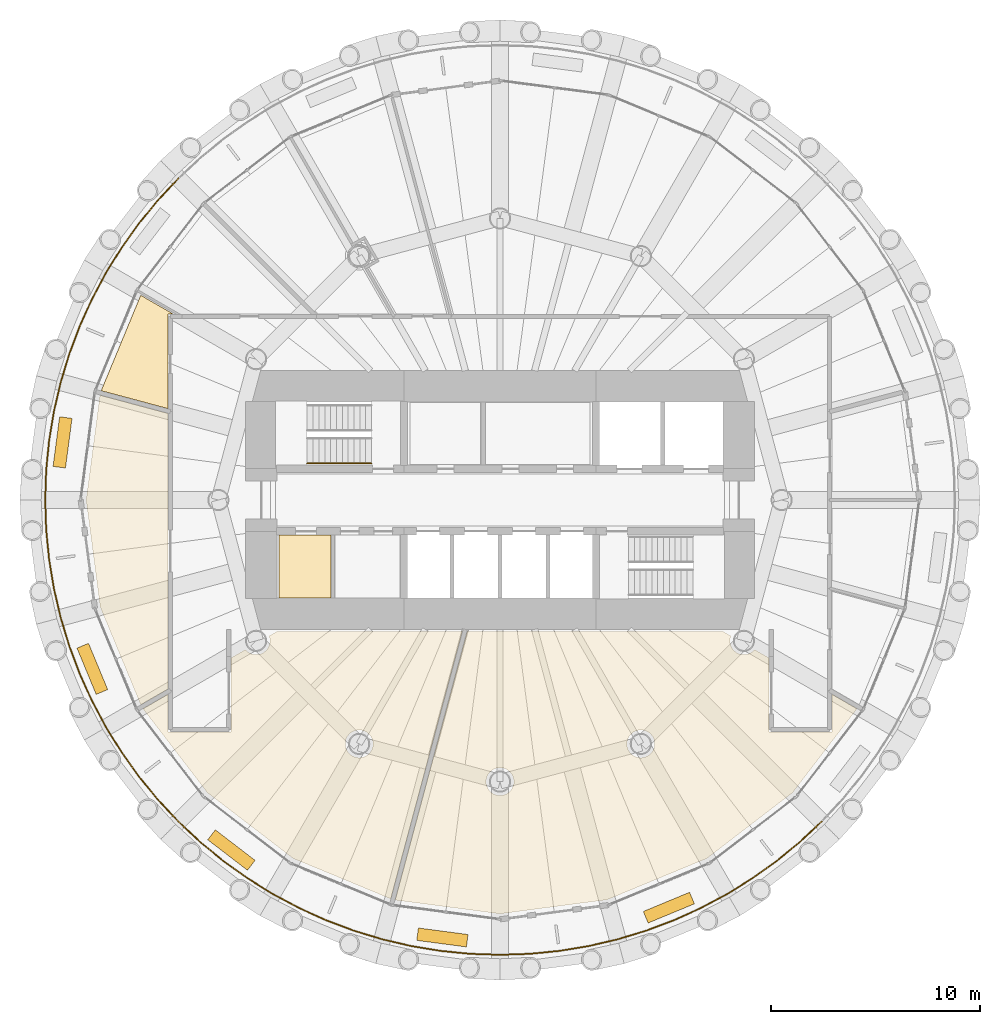
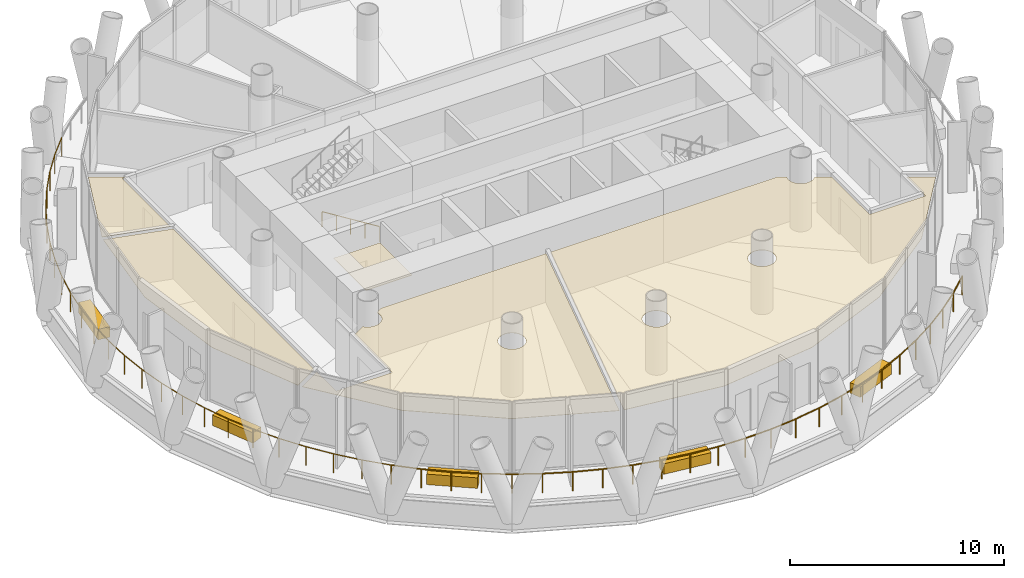
# One storey, part 12 of 14: 10 coverings, 3 railings.
"""IFC4 building model written with IfcOpenShell, lengths in metres."""

from ifc_helpers import new_model, si_unit, direction, frame, origin, origin_2d, place, context, subcontext, project, spatial, polyline, rectangle, circle, outline, extrude, material, layer, layer_set, type_object, element, save


model = new_model("IFC4")

# Units and contexts
model_context = context("Model", 3, precision=1e-05, world=origin(), true_north=direction((0.0, 1.0)))
body_context = subcontext(model_context, "Body", "Model", "MODEL_VIEW")
ifc_project = project(units=[si_unit("LENGTHUNIT", "METRE"), si_unit("AREAUNIT", "SQUARE_METRE"), si_unit("VOLUMEUNIT", "CUBIC_METRE"), si_unit("PLANEANGLEUNIT", "RADIAN"), si_unit("MASSUNIT", "GRAM", prefix="KILO")], contexts=[model_context])

# Site, building, storey
site_placement = place(None, origin())
site = spatial("IfcSite", under=ifc_project, at=site_placement, CompositionType="ELEMENT")
building_placement = place(site_placement, origin())
building = spatial("IfcBuilding", under=site, at=building_placement, Name="Qaws Media Tower", CompositionType="ELEMENT")
storey_placement = place(building_placement, frame((0.0, 0.0, 227.60009765625)))
storey = spatial("IfcBuildingStorey", under=building, at=storey_placement, Name="L52", CompositionType="ELEMENT", Elevation=227.60009765625)

# Railings
ifc_material_1 = material(Name="Stainless steel and glass guard", Category="steel")
railing_type_1 = type_object("IfcRailingType", Name="Balcony guard 1100", PredefinedType="GUARDRAIL", material=ifc_material_1)
railing_1_placement = place(storey_placement, frame((44.5849609375, 65.4150390625, 0.0)))
element("IfcRailing", 1, at=railing_1_placement, inside=storey, type_object=railing_type_1, Name="GR1 balcony guard L52-2", PredefinedType="GUARDRAIL", context=body_context, shape_type="SweptSolid", body=[
    extrude(circle(Radius=0.02392578125, at=origin_2d()), frame((0.0, 0.0, 1.076171875), z_axis=(-0.683536832467, -0.72991602165, 0.0), x_axis=(0.72991602165, -0.683536832467, 0.0)), (0.0, 0.0, 1.0), 1.426513671875),
    extrude(circle(Radius=0.02392578125, at=origin_2d()), frame((-0.97509765625, -1.041259765625, 1.076171875), z_axis=(-0.634392660564, -0.773010965138, 0.0), x_axis=(0.773010965138, -0.634392660564, 0.0)), (0.0, 0.0, 1.0), 1.426513671875),
    extrude(circle(Radius=0.02392578125, at=origin_2d()), frame((-1.880126953125, -2.14404296875, 1.076171875), z_axis=(-0.58238702239, -0.81291165335, 0.0), x_axis=(0.81291165335, -0.58238702239, 0.0)), (0.0, 0.0, 1.0), 1.426513671875),
    extrude(circle(Radius=0.02392578125, at=origin_2d()), frame((-2.7109375, -3.3037109375, 1.076171875), z_axis=(-0.528120931636, -0.849169171348, 0.0), x_axis=(0.849169171348, -0.528120931636, 0.0)), (0.0, 0.0, 1.0), 1.426513671875),
    extrude(circle(Radius=0.02392578125, at=origin_2d()), frame((-3.46435546875, -4.51513671875, 1.076171875), z_axis=(-0.471352023632, -0.881945162591, 0.0), x_axis=(0.881945162591, -0.471352023632, 0.0)), (0.0, 0.0, 1.0), 1.426513671875),
    extrude(circle(Radius=0.02392578125, at=origin_2d()), frame((-4.13671875, -5.773193359375, 1.076171875), z_axis=(-0.412796933547, -0.910823084717, 0.0), x_axis=(0.910823084717, -0.412796933547, 0.0)), (0.0, 0.0, 1.0), 1.426513671875),
    extrude(circle(Radius=0.02392578125, at=origin_2d()), frame((-4.7255859375, -7.072509765625, 1.076171875), z_axis=(-0.352192209434, -0.935927693582, 0.0), x_axis=(0.935927693582, -0.352192209434, 0.0)), (0.0, 0.0, 1.0), 1.426513671875),
    extrude(circle(Radius=0.02392578125, at=origin_2d()), frame((-5.22802734375, -8.40771484375, 1.076171875), z_axis=(-0.29028290489, -0.956940873371, 0.0), x_axis=(0.956940873371, -0.29028290489, 0.0)), (0.0, 0.0, 1.0), 1.426513671875),
    extrude(circle(Radius=0.02392578125, at=origin_2d()), frame((-5.64208984375, -9.772705078125, 1.076171875), z_axis=(-0.227083552288, -0.973875279633, 0.0), x_axis=(0.973875279633, -0.227083552288, 0.0)), (0.0, 0.0, 1.0), 1.4267578125),
    extrude(circle(Radius=0.02392578125, at=origin_2d()), frame((-5.966064453125, -11.162109375, 1.076171875), z_axis=(-0.162927901933, -0.986637977564, 0.0), x_axis=(0.986637977564, -0.162927901933, 0.0)), (0.0, 0.0, 1.0), 1.426513671875),
    extrude(circle(Radius=0.02392578125, at=origin_2d()), frame((-6.198486328125, -12.569580078125, 1.076171875), z_axis=(-0.098063326095, -0.995180176689, 0.0), x_axis=(0.995180176689, -0.098063326095, 0.0)), (0.0, 0.0, 1.0), 1.426513671875),
    extrude(circle(Radius=0.02392578125, at=origin_2d()), frame((-6.33837890625, -13.9892578125, 1.076171875), z_axis=(-0.03268800179, -0.99946560448, 0.0), x_axis=(0.99946560448, -0.03268800179, 0.0)), (0.0, 0.0, 1.0), 1.426513671875),
    extrude(circle(Radius=0.02392578125, at=origin_2d()), frame((-6.385009765625, -15.4150390625, 1.076171875), z_axis=(0.03268800179, -0.99946560448, 0.0), x_axis=(0.99946560448, 0.03268800179, 0.0)), (0.0, 0.0, 1.0), 1.426513671875),
    extrude(circle(Radius=0.02392578125, at=origin_2d()), frame((-6.33837890625, -16.8408203125, 1.076171875), z_axis=(0.098063326095, -0.995180176689, 0.0), x_axis=(0.995180176689, 0.098063326095, 0.0)), (0.0, 0.0, 1.0), 1.426513671875),
    extrude(circle(Radius=0.02392578125, at=origin_2d()), frame((-6.198486328125, -18.260498046875, 1.076171875), z_axis=(0.162927901933, -0.986637977564, 0.0), x_axis=(0.986637977564, 0.162927901933, 0.0)), (0.0, 0.0, 1.0), 1.426513671875),
    extrude(circle(Radius=0.02392578125, at=origin_2d()), frame((-5.966064453125, -19.66796875, 1.076171875), z_axis=(0.227083552288, -0.973875279633, 0.0), x_axis=(0.973875279633, 0.227083552288, 0.0)), (0.0, 0.0, 1.0), 1.4267578125),
    extrude(circle(Radius=0.02392578125, at=origin_2d()), frame((-5.64208984375, -21.057373046875, 1.076171875), z_axis=(0.29028290489, -0.956940873371, 0.0), x_axis=(0.956940873371, 0.29028290489, 0.0)), (0.0, 0.0, 1.0), 1.426513671875),
    extrude(circle(Radius=0.02392578125, at=origin_2d()), frame((-5.22802734375, -22.42236328125, 1.076171875), z_axis=(0.352192209434, -0.935927693582, 0.0), x_axis=(0.935927693582, 0.352192209434, 0.0)), (0.0, 0.0, 1.0), 1.426513671875),
    extrude(circle(Radius=0.02392578125, at=origin_2d()), frame((-4.7255859375, -23.757568359375, 1.076171875), z_axis=(0.412796933547, -0.910823084717, 0.0), x_axis=(0.910823084717, 0.412796933547, 0.0)), (0.0, 0.0, 1.0), 1.426513671875),
    extrude(circle(Radius=0.02392578125, at=origin_2d()), frame((-4.13671875, -25.056884765625, 1.076171875), z_axis=(0.471352023632, -0.881945162591, 0.0), x_axis=(0.881945162591, 0.471352023632, 0.0)), (0.0, 0.0, 1.0), 1.426513671875),
    extrude(circle(Radius=0.02392578125, at=origin_2d()), frame((-3.46435546875, -26.31494140625, 1.076171875), z_axis=(0.528120931636, -0.849169171348, 0.0), x_axis=(0.849169171348, 0.528120931636, 0.0)), (0.0, 0.0, 1.0), 1.426513671875),
    extrude(circle(Radius=0.02392578125, at=origin_2d()), frame((-2.7109375, -27.5263671875, 1.076171875), z_axis=(0.58238702239, -0.81291165335, 0.0), x_axis=(0.81291165335, 0.58238702239, 0.0)), (0.0, 0.0, 1.0), 1.426513671875),
    extrude(circle(Radius=0.02392578125, at=origin_2d()), frame((-1.880126953125, -28.68603515625, 1.076171875), z_axis=(0.634392660564, -0.773010965138, 0.0), x_axis=(0.773010965138, 0.634392660564, 0.0)), (0.0, 0.0, 1.0), 1.426513671875),
    extrude(circle(Radius=0.02392578125, at=origin_2d()), frame((-0.97509765625, -29.788818359375, 1.076171875), z_axis=(0.683536832467, -0.72991602165, 0.0), x_axis=(0.72991602165, 0.683536832467, 0.0)), (0.0, 0.0, 1.0), 1.426513671875),
    extrude(circle(Radius=0.02099609375, at=origin_2d()), origin(), (0.0, 0.0, 1.0), 1.052001953125),
    extrude(circle(Radius=0.02099609375, at=origin_2d()), frame((-0.97509765625, -1.041259765625, 0.0)), (0.0, 0.0, 1.0), 1.052001953125),
    extrude(circle(Radius=0.02099609375, at=origin_2d()), frame((-1.880126953125, -2.14404296875, 0.0)), (0.0, 0.0, 1.0), 1.052001953125),
    extrude(circle(Radius=0.02099609375, at=origin_2d()), frame((-2.7109375, -3.3037109375, 0.0)), (0.0, 0.0, 1.0), 1.052001953125),
    extrude(circle(Radius=0.02099609375, at=origin_2d()), frame((-3.46435546875, -4.51513671875, 0.0)), (0.0, 0.0, 1.0), 1.052001953125),
    extrude(circle(Radius=0.02099609375, at=origin_2d()), frame((-4.13671875, -5.773193359375, 0.0)), (0.0, 0.0, 1.0), 1.052001953125),
    extrude(circle(Radius=0.02099609375, at=origin_2d()), frame((-4.7255859375, -7.072509765625, 0.0)), (0.0, 0.0, 1.0), 1.052001953125),
    extrude(circle(Radius=0.02099609375, at=origin_2d()), frame((-5.22802734375, -8.40771484375, 0.0)), (0.0, 0.0, 1.0), 1.052001953125),
    extrude(circle(Radius=0.02099609375, at=origin_2d()), frame((-5.64208984375, -9.772705078125, 0.0)), (0.0, 0.0, 1.0), 1.052001953125),
    extrude(circle(Radius=0.02099609375, at=origin_2d()), frame((-5.966064453125, -11.162109375, 0.0)), (0.0, 0.0, 1.0), 1.052001953125),
    extrude(circle(Radius=0.02099609375, at=origin_2d()), frame((-6.198486328125, -12.569580078125, 0.0)), (0.0, 0.0, 1.0), 1.052001953125),
    extrude(circle(Radius=0.02099609375, at=origin_2d()), frame((-6.33837890625, -13.9892578125, 0.0)), (0.0, 0.0, 1.0), 1.052001953125),
    extrude(circle(Radius=0.02099609375, at=origin_2d()), frame((-6.385009765625, -15.4150390625, 0.0)), (0.0, 0.0, 1.0), 1.052001953125),
    extrude(circle(Radius=0.02099609375, at=origin_2d()), frame((-6.33837890625, -16.8408203125, 0.0)), (0.0, 0.0, 1.0), 1.052001953125),
    extrude(circle(Radius=0.02099609375, at=origin_2d()), frame((-6.198486328125, -18.260498046875, 0.0)), (0.0, 0.0, 1.0), 1.052001953125),
    extrude(circle(Radius=0.02099609375, at=origin_2d()), frame((-5.966064453125, -19.66796875, 0.0)), (0.0, 0.0, 1.0), 1.052001953125),
    extrude(circle(Radius=0.02099609375, at=origin_2d()), frame((-5.64208984375, -21.057373046875, 0.0)), (0.0, 0.0, 1.0), 1.052001953125),
    extrude(circle(Radius=0.02099609375, at=origin_2d()), frame((-5.22802734375, -22.42236328125, 0.0)), (0.0, 0.0, 1.0), 1.052001953125),
    extrude(circle(Radius=0.02099609375, at=origin_2d()), frame((-4.7255859375, -23.757568359375, 0.0)), (0.0, 0.0, 1.0), 1.052001953125),
    extrude(circle(Radius=0.02099609375, at=origin_2d()), frame((-4.13671875, -25.056884765625, 0.0)), (0.0, 0.0, 1.0), 1.052001953125),
    extrude(circle(Radius=0.02099609375, at=origin_2d()), frame((-3.46435546875, -26.31494140625, 0.0)), (0.0, 0.0, 1.0), 1.052001953125),
    extrude(circle(Radius=0.02099609375, at=origin_2d()), frame((-2.7109375, -27.5263671875, 0.0)), (0.0, 0.0, 1.0), 1.052001953125),
    extrude(circle(Radius=0.02099609375, at=origin_2d()), frame((-1.880126953125, -28.68603515625, 0.0)), (0.0, 0.0, 1.0), 1.052001953125),
    extrude(circle(Radius=0.02099609375, at=origin_2d()), frame((-0.97509765625, -29.788818359375, 0.0)), (0.0, 0.0, 1.0), 1.052001953125),
    extrude(circle(Radius=0.02099609375, at=origin_2d()), frame((0.0, -30.830078125, 0.0)), (0.0, 0.0, 1.0), 1.052001953125),
])
railing_2_placement = place(storey_placement, frame((44.5849609375, 34.5849609375, 0.0)))
element("IfcRailing", 2, at=railing_2_placement, inside=storey, type_object=railing_type_1, Name="GR1 balcony guard L52-3", PredefinedType="GUARDRAIL", context=body_context, shape_type="SweptSolid", body=[
    extrude(circle(Radius=0.02392578125, at=origin_2d()), frame((0.0, 0.0, 1.076171875), z_axis=(0.72991602165, -0.683536832467, 0.0), x_axis=(0.683536832467, 0.72991602165, 0.0)), (0.0, 0.0, 1.0), 1.426513671875),
    extrude(circle(Radius=0.02392578125, at=origin_2d()), frame((1.041259765625, -0.97509765625, 1.076171875), z_axis=(0.773010965138, -0.634392660564, 0.0), x_axis=(0.634392660564, 0.773010965138, 0.0)), (0.0, 0.0, 1.0), 1.426513671875),
    extrude(circle(Radius=0.02392578125, at=origin_2d()), frame((2.14404296875, -1.880126953125, 1.076171875), z_axis=(0.81291165335, -0.58238702239, 0.0), x_axis=(0.58238702239, 0.81291165335, 0.0)), (0.0, 0.0, 1.0), 1.426513671875),
    extrude(circle(Radius=0.02392578125, at=origin_2d()), frame((3.3037109375, -2.7109375, 1.076171875), z_axis=(0.849169171348, -0.528120931636, 0.0), x_axis=(0.528120931636, 0.849169171348, 0.0)), (0.0, 0.0, 1.0), 1.426513671875),
    extrude(circle(Radius=0.02392578125, at=origin_2d()), frame((4.51513671875, -3.46435546875, 1.076171875), z_axis=(0.881945162591, -0.471352023632, 0.0), x_axis=(0.471352023632, 0.881945162591, 0.0)), (0.0, 0.0, 1.0), 1.426513671875),
    extrude(circle(Radius=0.02392578125, at=origin_2d()), frame((5.773193359375, -4.13671875, 1.076171875), z_axis=(0.910823084717, -0.412796933547, 0.0), x_axis=(0.412796933547, 0.910823084717, 0.0)), (0.0, 0.0, 1.0), 1.426513671875),
    extrude(circle(Radius=0.02392578125, at=origin_2d()), frame((7.072509765625, -4.7255859375, 1.076171875), z_axis=(0.935927693582, -0.352192209434, 0.0), x_axis=(0.352192209434, 0.935927693582, 0.0)), (0.0, 0.0, 1.0), 1.426513671875),
    extrude(circle(Radius=0.02392578125, at=origin_2d()), frame((8.40771484375, -5.22802734375, 1.076171875), z_axis=(0.956940873371, -0.29028290489, 0.0), x_axis=(0.29028290489, 0.956940873371, 0.0)), (0.0, 0.0, 1.0), 1.426513671875),
    extrude(circle(Radius=0.02392578125, at=origin_2d()), frame((9.772705078125, -5.64208984375, 1.076171875), z_axis=(0.973875279633, -0.227083552288, 0.0), x_axis=(0.227083552288, 0.973875279633, 0.0)), (0.0, 0.0, 1.0), 1.4267578125),
    extrude(circle(Radius=0.02392578125, at=origin_2d()), frame((11.162109375, -5.966064453125, 1.076171875), z_axis=(0.986637977564, -0.162927901933, 0.0), x_axis=(0.162927901933, 0.986637977564, 0.0)), (0.0, 0.0, 1.0), 1.426513671875),
    extrude(circle(Radius=0.02392578125, at=origin_2d()), frame((12.569580078125, -6.198486328125, 1.076171875), z_axis=(0.995180176689, -0.098063326095, 0.0), x_axis=(0.098063326095, 0.995180176689, 0.0)), (0.0, 0.0, 1.0), 1.426513671875),
    extrude(circle(Radius=0.02392578125, at=origin_2d()), frame((13.9892578125, -6.33837890625, 1.076171875), z_axis=(0.99946560448, -0.03268800179, 0.0), x_axis=(0.03268800179, 0.99946560448, 0.0)), (0.0, 0.0, 1.0), 1.426513671875),
    extrude(circle(Radius=0.02392578125, at=origin_2d()), frame((15.4150390625, -6.385009765625, 1.076171875), z_axis=(0.99946560448, 0.03268800179, 0.0), x_axis=(-0.03268800179, 0.99946560448, 0.0)), (0.0, 0.0, 1.0), 1.426513671875),
    extrude(circle(Radius=0.02392578125, at=origin_2d()), frame((16.8408203125, -6.33837890625, 1.076171875), z_axis=(0.995180176689, 0.098063326095, 0.0), x_axis=(-0.098063326095, 0.995180176689, 0.0)), (0.0, 0.0, 1.0), 1.426513671875),
    extrude(circle(Radius=0.02392578125, at=origin_2d()), frame((18.260498046875, -6.198486328125, 1.076171875), z_axis=(0.986637977564, 0.162927901933, 0.0), x_axis=(-0.162927901933, 0.986637977564, 0.0)), (0.0, 0.0, 1.0), 1.426513671875),
    extrude(circle(Radius=0.02392578125, at=origin_2d()), frame((19.66796875, -5.966064453125, 1.076171875), z_axis=(0.973875279633, 0.227083552288, 0.0), x_axis=(-0.227083552288, 0.973875279633, 0.0)), (0.0, 0.0, 1.0), 1.4267578125),
    extrude(circle(Radius=0.02392578125, at=origin_2d()), frame((21.057373046875, -5.64208984375, 1.076171875), z_axis=(0.956940873371, 0.29028290489, 0.0), x_axis=(-0.29028290489, 0.956940873371, 0.0)), (0.0, 0.0, 1.0), 1.426513671875),
    extrude(circle(Radius=0.02392578125, at=origin_2d()), frame((22.42236328125, -5.22802734375, 1.076171875), z_axis=(0.935927693582, 0.352192209434, 0.0), x_axis=(-0.352192209434, 0.935927693582, 0.0)), (0.0, 0.0, 1.0), 1.426513671875),
    extrude(circle(Radius=0.02392578125, at=origin_2d()), frame((23.757568359375, -4.7255859375, 1.076171875), z_axis=(0.910823084717, 0.412796933547, 0.0), x_axis=(-0.412796933547, 0.910823084717, 0.0)), (0.0, 0.0, 1.0), 1.426513671875),
    extrude(circle(Radius=0.02392578125, at=origin_2d()), frame((25.056884765625, -4.13671875, 1.076171875), z_axis=(0.881945162591, 0.471352023632, 0.0), x_axis=(-0.471352023632, 0.881945162591, 0.0)), (0.0, 0.0, 1.0), 1.426513671875),
    extrude(circle(Radius=0.02392578125, at=origin_2d()), frame((26.31494140625, -3.46435546875, 1.076171875), z_axis=(0.849169171348, 0.528120931636, 0.0), x_axis=(-0.528120931636, 0.849169171348, 0.0)), (0.0, 0.0, 1.0), 1.426513671875),
    extrude(circle(Radius=0.02392578125, at=origin_2d()), frame((27.5263671875, -2.7109375, 1.076171875), z_axis=(0.81291165335, 0.58238702239, 0.0), x_axis=(-0.58238702239, 0.81291165335, 0.0)), (0.0, 0.0, 1.0), 1.426513671875),
    extrude(circle(Radius=0.02392578125, at=origin_2d()), frame((28.68603515625, -1.880126953125, 1.076171875), z_axis=(0.773010965138, 0.634392660564, 0.0), x_axis=(-0.634392660564, 0.773010965138, 0.0)), (0.0, 0.0, 1.0), 1.426513671875),
    extrude(circle(Radius=0.02392578125, at=origin_2d()), frame((29.788818359375, -0.97509765625, 1.076171875), z_axis=(0.72991602165, 0.683536832467, 0.0), x_axis=(-0.683536832467, 0.72991602165, 0.0)), (0.0, 0.0, 1.0), 1.426513671875),
    extrude(circle(Radius=0.02099609375, at=origin_2d()), origin(), (0.0, 0.0, 1.0), 1.052001953125),
    extrude(circle(Radius=0.02099609375, at=origin_2d()), frame((1.041259765625, -0.97509765625, 0.0)), (0.0, 0.0, 1.0), 1.052001953125),
    extrude(circle(Radius=0.02099609375, at=origin_2d()), frame((2.14404296875, -1.880126953125, 0.0)), (0.0, 0.0, 1.0), 1.052001953125),
    extrude(circle(Radius=0.02099609375, at=origin_2d()), frame((3.3037109375, -2.7109375, 0.0)), (0.0, 0.0, 1.0), 1.052001953125),
    extrude(circle(Radius=0.02099609375, at=origin_2d()), frame((4.51513671875, -3.46435546875, 0.0)), (0.0, 0.0, 1.0), 1.052001953125),
    extrude(circle(Radius=0.02099609375, at=origin_2d()), frame((5.773193359375, -4.13671875, 0.0)), (0.0, 0.0, 1.0), 1.052001953125),
    extrude(circle(Radius=0.02099609375, at=origin_2d()), frame((7.072509765625, -4.7255859375, 0.0)), (0.0, 0.0, 1.0), 1.052001953125),
    extrude(circle(Radius=0.02099609375, at=origin_2d()), frame((8.40771484375, -5.22802734375, 0.0)), (0.0, 0.0, 1.0), 1.052001953125),
    extrude(circle(Radius=0.02099609375, at=origin_2d()), frame((9.772705078125, -5.64208984375, 0.0)), (0.0, 0.0, 1.0), 1.052001953125),
    extrude(circle(Radius=0.02099609375, at=origin_2d()), frame((11.162109375, -5.966064453125, 0.0)), (0.0, 0.0, 1.0), 1.052001953125),
    extrude(circle(Radius=0.02099609375, at=origin_2d()), frame((12.569580078125, -6.198486328125, 0.0)), (0.0, 0.0, 1.0), 1.052001953125),
    extrude(circle(Radius=0.02099609375, at=origin_2d()), frame((13.9892578125, -6.33837890625, 0.0)), (0.0, 0.0, 1.0), 1.052001953125),
    extrude(circle(Radius=0.02099609375, at=origin_2d()), frame((15.4150390625, -6.385009765625, 0.0)), (0.0, 0.0, 1.0), 1.052001953125),
    extrude(circle(Radius=0.02099609375, at=origin_2d()), frame((16.8408203125, -6.33837890625, 0.0)), (0.0, 0.0, 1.0), 1.052001953125),
    extrude(circle(Radius=0.02099609375, at=origin_2d()), frame((18.260498046875, -6.198486328125, 0.0)), (0.0, 0.0, 1.0), 1.052001953125),
    extrude(circle(Radius=0.02099609375, at=origin_2d()), frame((19.66796875, -5.966064453125, 0.0)), (0.0, 0.0, 1.0), 1.052001953125),
    extrude(circle(Radius=0.02099609375, at=origin_2d()), frame((21.057373046875, -5.64208984375, 0.0)), (0.0, 0.0, 1.0), 1.052001953125),
    extrude(circle(Radius=0.02099609375, at=origin_2d()), frame((22.42236328125, -5.22802734375, 0.0)), (0.0, 0.0, 1.0), 1.052001953125),
    extrude(circle(Radius=0.02099609375, at=origin_2d()), frame((23.757568359375, -4.7255859375, 0.0)), (0.0, 0.0, 1.0), 1.052001953125),
    extrude(circle(Radius=0.02099609375, at=origin_2d()), frame((25.056884765625, -4.13671875, 0.0)), (0.0, 0.0, 1.0), 1.052001953125),
    extrude(circle(Radius=0.02099609375, at=origin_2d()), frame((26.31494140625, -3.46435546875, 0.0)), (0.0, 0.0, 1.0), 1.052001953125),
    extrude(circle(Radius=0.02099609375, at=origin_2d()), frame((27.5263671875, -2.7109375, 0.0)), (0.0, 0.0, 1.0), 1.052001953125),
    extrude(circle(Radius=0.02099609375, at=origin_2d()), frame((28.68603515625, -1.880126953125, 0.0)), (0.0, 0.0, 1.0), 1.052001953125),
    extrude(circle(Radius=0.02099609375, at=origin_2d()), frame((29.788818359375, -0.97509765625, 0.0)), (0.0, 0.0, 1.0), 1.052001953125),
    extrude(circle(Radius=0.02099609375, at=origin_2d()), frame((30.830078125, 0.0, 0.0)), (0.0, 0.0, 1.0), 1.052001953125),
])

# Coverings
ifc_material_2 = material(Name="600 x 600 mineral fibre tiles in exposed grid, suspended", Category="mineral fibre")
ifc_layer_1 = layer(ifc_material_2, 0.02001953125)
ifc_layer_set_1 = layer_set([ifc_layer_1], Name="Mineral fibre tile ceiling 20")
covering_type_1 = type_object("IfcCoveringType", Name="Mineral fibre tile ceiling 20", PredefinedType="CEILING", material=ifc_layer_set_1)
covering_1_placement = place(storey_placement, frame((0.0, 0.0, 2.849853515625)))
element("IfcCovering", 3, at=covering_1_placement, inside=storey, type_object=covering_type_1, Name="CL1 ceiling L52-07 Office", PredefinedType="CEILING", context=body_context, shape_type="SweptSolid", body=[
    extrude(outline(polyline([(42.77880859375, 59.812744140625), (44.338134765625, 58.91259765625), (44.08740234375, 58.91259765625), (44.08740234375, 54.380126953125), (40.884033203125, 55.238525390625), (42.77880859375, 59.812744140625)])), origin(), (0.0, 0.0, 1.0), 0.02001953125),
])
covering_2_placement = place(storey_placement, frame((0.0, 0.0, 2.849853515625)))
element("IfcCovering", 4, at=covering_2_placement, inside=storey, type_object=covering_type_1, Name="CL1 ceiling L52-08 Tenant office", PredefinedType="CEILING", context=body_context, shape_type="SweptSolid", body=[
    extrude(outline(polyline([(40.840576171875, 44.8662109375), (40.164794921875, 50.0), (40.82568359375, 55.021240234375), (44.08740234375, 54.147216796875), (44.08740234375, 40.94287109375), (42.77880859375, 40.187255859375), (40.840576171875, 44.8662109375)])), origin(), (0.0, 0.0, 1.0), 0.02001953125),
])
covering_3_placement = place(storey_placement, frame((0.0, 0.0, 2.849853515625)))
element("IfcCovering", 5, at=covering_3_placement, inside=storey, type_object=covering_type_1, Name="CL1 ceiling L52-09 Tenant office", PredefinedType="CEILING", context=body_context, shape_type="SweptSolid", body=[
    extrude(outline(polyline([(50.08251953125, 32.822265625), (45.974365234375, 35.974365234375), (42.891357421875, 39.992431640625), (44.08740234375, 40.68310546875), (44.08740234375, 38.887451171875), (47.112548828125, 38.887451171875), (47.112548828125, 42.429443359375), (47.795654296875, 42.823974609375), (47.836181640625, 42.777587890625), (47.902099609375, 42.719970703125), (47.974609375, 42.67138671875), (48.052978515625, 42.6328125), (48.1357421875, 42.604736328125), (48.221435546875, 42.587646484375), (48.30859375, 42.58203125), (48.395751953125, 42.587646484375), (48.4814453125, 42.604736328125), (48.564208984375, 42.6328125), (48.642578125, 42.67138671875), (48.71533203125, 42.719970703125), (48.781005859375, 42.777587890625), (48.838623046875, 42.84326171875), (48.88720703125, 42.916015625), (48.92578125, 42.994384765625), (48.953857421875, 43.0771484375), (48.970947265625, 43.162841796875), (48.976806640625, 43.25), (48.970947265625, 43.337158203125), (48.953857421875, 43.4228515625), (48.93408203125, 43.481201171875), (49.29150390625, 43.6875), (58.192138671875, 43.6875), (54.761474609375, 30.884033203125), (50.08251953125, 32.822265625)]), holes=[polyline([(53.895263671875, 38.1357421875), (53.912353515625, 38.221435546875), (53.91796875, 38.30859375), (53.912353515625, 38.395751953125), (53.895263671875, 38.4814453125), (53.8671875, 38.564208984375), (53.82861328125, 38.642578125), (53.780029296875, 38.71533203125), (53.722412109375, 38.781005859375), (53.65673828125, 38.838623046875), (53.583984375, 38.88720703125), (53.505615234375, 38.92578125), (53.4228515625, 38.953857421875), (53.337158203125, 38.970947265625), (53.25, 38.976806640625), (53.162841796875, 38.970947265625), (53.0771484375, 38.953857421875), (52.994384765625, 38.92578125), (52.916015625, 38.88720703125), (52.84326171875, 38.838623046875), (52.777587890625, 38.781005859375), (52.719970703125, 38.71533203125), (52.67138671875, 38.642578125), (52.6328125, 38.564208984375), (52.604736328125, 38.4814453125), (52.587646484375, 38.395751953125), (52.58203125, 38.30859375), (52.587646484375, 38.221435546875), (52.604736328125, 38.1357421875), (52.6328125, 38.052978515625), (52.67138671875, 37.974609375), (52.719970703125, 37.902099609375), (52.777587890625, 37.836181640625), (52.84326171875, 37.77880859375), (52.916015625, 37.730224609375), (52.994384765625, 37.69140625), (53.0771484375, 37.663330078125), (53.162841796875, 37.646484375), (53.25, 37.640625), (53.337158203125, 37.646484375), (53.4228515625, 37.663330078125), (53.505615234375, 37.69140625), (53.583984375, 37.730224609375), (53.65673828125, 37.77880859375), (53.722412109375, 37.836181640625), (53.780029296875, 37.902099609375), (53.82861328125, 37.974609375), (53.8671875, 38.052978515625), (53.895263671875, 38.1357421875)])]), origin(), (0.0, 0.0, 1.0), 0.02001953125),
])
covering_4_placement = place(storey_placement, frame((0.0, 0.0, 2.849853515625)))
element("IfcCovering", 6, at=covering_4_placement, inside=storey, type_object=covering_type_1, Name="CL1 ceiling L52-10 Tenant office", PredefinedType="CEILING", context=body_context, shape_type="SweptSolid", body=[
    extrude(outline(polyline([(72.887451171875, 38.887451171875), (75.91259765625, 38.887451171875), (75.91259765625, 40.68310546875), (77.108642578125, 39.992431640625), (74.025634765625, 35.974365234375), (69.91748046875, 32.822265625), (65.1337890625, 30.840576171875), (60.0, 30.164794921875), (54.978759765625, 30.82568359375), (58.425048828125, 43.6875), (70.70849609375, 43.6875), (71.06591796875, 43.481201171875), (71.046142578125, 43.4228515625), (71.029052734375, 43.337158203125), (71.023193359375, 43.25), (71.029052734375, 43.162841796875), (71.046142578125, 43.0771484375), (71.07421875, 42.994384765625), (71.11279296875, 42.916015625), (71.161376953125, 42.84326171875), (71.218994140625, 42.777587890625), (71.28466796875, 42.719970703125), (71.357421875, 42.67138671875), (71.435791015625, 42.6328125), (71.5185546875, 42.604736328125), (71.604248046875, 42.587646484375), (71.69140625, 42.58203125), (71.778564453125, 42.587646484375), (71.8642578125, 42.604736328125), (71.947021484375, 42.6328125), (72.025390625, 42.67138671875), (72.097900390625, 42.719970703125), (72.163818359375, 42.777587890625), (72.204345703125, 42.823974609375), (72.887451171875, 42.429443359375), (72.887451171875, 38.887451171875)]), holes=[polyline([(60.645263671875, 36.3271484375), (60.662353515625, 36.412841796875), (60.66796875, 36.5), (60.662353515625, 36.587158203125), (60.645263671875, 36.6728515625), (60.6171875, 36.755615234375), (60.57861328125, 36.833984375), (60.530029296875, 36.90673828125), (60.472412109375, 36.972412109375), (60.40673828125, 37.030029296875), (60.333984375, 37.07861328125), (60.255615234375, 37.1171875), (60.1728515625, 37.145263671875), (60.087158203125, 37.162353515625), (60.0, 37.16796875), (59.912841796875, 37.162353515625), (59.8271484375, 37.145263671875), (59.744384765625, 37.1171875), (59.666015625, 37.07861328125), (59.59326171875, 37.030029296875), (59.527587890625, 36.972412109375), (59.469970703125, 36.90673828125), (59.42138671875, 36.833984375), (59.3828125, 36.755615234375), (59.354736328125, 36.6728515625), (59.337646484375, 36.587158203125), (59.33203125, 36.5), (59.337646484375, 36.412841796875), (59.354736328125, 36.3271484375), (59.3828125, 36.244384765625), (59.42138671875, 36.166015625), (59.469970703125, 36.09326171875), (59.527587890625, 36.027587890625), (59.59326171875, 35.969970703125), (59.666015625, 35.92138671875), (59.744384765625, 35.8828125), (59.8271484375, 35.854736328125), (59.912841796875, 35.837646484375), (60.0, 35.83203125), (60.087158203125, 35.837646484375), (60.1728515625, 35.854736328125), (60.255615234375, 35.8828125), (60.333984375, 35.92138671875), (60.40673828125, 35.969970703125), (60.472412109375, 36.027587890625), (60.530029296875, 36.09326171875), (60.57861328125, 36.166015625), (60.6171875, 36.244384765625), (60.645263671875, 36.3271484375)]), polyline([(67.3671875, 38.052978515625), (67.395263671875, 38.1357421875), (67.412353515625, 38.221435546875), (67.41796875, 38.30859375), (67.412353515625, 38.395751953125), (67.395263671875, 38.4814453125), (67.3671875, 38.564208984375), (67.32861328125, 38.642578125), (67.280029296875, 38.71533203125), (67.222412109375, 38.781005859375), (67.15673828125, 38.838623046875), (67.083984375, 38.88720703125), (67.005615234375, 38.92578125), (66.9228515625, 38.953857421875), (66.837158203125, 38.970947265625), (66.75, 38.976806640625), (66.662841796875, 38.970947265625), (66.5771484375, 38.953857421875), (66.494384765625, 38.92578125), (66.416015625, 38.88720703125), (66.34326171875, 38.838623046875), (66.277587890625, 38.781005859375), (66.219970703125, 38.71533203125), (66.17138671875, 38.642578125), (66.1328125, 38.564208984375), (66.104736328125, 38.4814453125), (66.087646484375, 38.395751953125), (66.08203125, 38.30859375), (66.087646484375, 38.221435546875), (66.104736328125, 38.1357421875), (66.1328125, 38.052978515625), (66.17138671875, 37.974609375), (66.219970703125, 37.902099609375), (66.277587890625, 37.836181640625), (66.34326171875, 37.77880859375), (66.416015625, 37.730224609375), (66.494384765625, 37.69140625), (66.5771484375, 37.663330078125), (66.662841796875, 37.646484375), (66.75, 37.640625), (66.837158203125, 37.646484375), (66.9228515625, 37.663330078125), (67.005615234375, 37.69140625), (67.083984375, 37.730224609375), (67.15673828125, 37.77880859375), (67.222412109375, 37.836181640625), (67.280029296875, 37.902099609375), (67.32861328125, 37.974609375), (67.3671875, 38.052978515625)])]), origin(), (0.0, 0.0, 1.0), 0.02001953125),
])
ifc_material_3 = material(Name="Precast concrete planter with trailing planting", Category="concrete")
ifc_layer_2 = layer(ifc_material_3, 0.60009765625)
ifc_layer_set_2 = layer_set([ifc_layer_2], Name="Planter 2400x600")
covering_type_2 = type_object("IfcCoveringType", Name="Planter 2400x600", PredefinedType="USERDEFINED", material=ifc_layer_set_2)
for number, where, z_axis, x_axis, name in (
    (7, (39.031005859375, 52.7607421875, -0.000244140625), (0.0, 0.0, 1.0), (-0.13052619222, -0.991444861374, 0.0), "PL1 balcony planter L52-06"),
    (8, (40.4599609375, 41.90625, -0.000244140625), (0.0, 0.0, 1.0), (0.382683432365, -0.923879532511, 0.0), "PL1 balcony planter L52-07"),
    (9, (47.124755859375, 33.220458984375, -0.000244140625), (0.0, 0.0, 1.0), (0.793353340291, -0.608761429009, 0.0), "PL1 balcony planter L52-08"),
    (10, (57.2392578125, 29.031005859375, -0.000244140625), (0.0, 0.0, 1.0), (0.991444861374, -0.13052619222, 0.0), "PL1 balcony planter L52-09"),
    (11, (68.09375, 30.4599609375, -0.000244140625), (0.0, 0.0, 1.0), (0.923879532511, 0.382683432365, 0.0), "PL1 balcony planter L52-10"),
):
    element("IfcCovering", number, at=place(storey_placement, frame(where, z_axis=z_axis, x_axis=x_axis)), inside=storey, type_object=covering_type_2, Name=name, ObjectType="PLANTER", PredefinedType="USERDEFINED", context=body_context, shape_type="SweptSolid", body=[
        extrude(rectangle(XDim=2.39990234375, YDim=0.60009765625, at=origin_2d()), origin(), (0.0, 0.0, 1.0), 0.60009765625),
    ])
ifc_material_4 = material(Name="Two layers 12.5 moisture-resistant plasterboard on suspended metal furring", Category="gypsum")
ifc_layer_3 = layer(ifc_material_4, 0.02490234375)
ifc_layer_set_3 = layer_set([ifc_layer_3], Name="Plasterboard ceiling 25")
covering_type_3 = type_object("IfcCoveringType", Name="Plasterboard ceiling 25", PredefinedType="CEILING", material=ifc_layer_set_3)
covering_5_placement = place(storey_placement, frame((0.0, 0.0, 2.849853515625)))
element("IfcCovering", 12, at=covering_5_placement, inside=storey, type_object=covering_type_3, Name="CL2 ceiling L52-C04 Accessible WC", PredefinedType="CEILING", context=body_context, shape_type="SweptSolid", body=[
    extrude(outline(polyline([(49.39990234375, 45.300048828125), (49.39990234375, 48.324951171875), (51.89990234375, 48.324951171875), (51.89990234375, 45.300048828125), (49.39990234375, 45.300048828125)])), origin(), (0.0, 0.0, 1.0), 0.025146484375),
])

# Railing
ifc_material_5 = material(Name="Steel tube handrail", Category="steel")
railing_type_2 = type_object("IfcRailingType", Name="Stair handrail 900", PredefinedType="HANDRAIL", material=ifc_material_5)
railing_3_placement = place(storey_placement, frame((53.840087890625, 51.75, 0.1748046875)))
element("IfcRailing", 13, at=railing_3_placement, inside=storey, type_object=railing_type_2, Name="HR1 handrail S1 flight 1 L52", PredefinedType="HANDRAIL", context=body_context, shape_type="SweptSolid", body=[
    extrude(circle(Radius=0.02392578125, at=origin_2d()), frame((0.0, 0.0, 0.8759765625), z_axis=(-0.847998304005, 0.0, 0.529998940003), x_axis=(0.0, -1.0, 0.0)), (0.0, 0.0, 1.0), 3.632080078125),
    extrude(circle(Radius=0.02099609375, at=origin_2d()), origin(), (0.0, 0.0, 1.0), 0.851806640625),
    extrude(circle(Radius=0.02099609375, at=origin_2d()), frame((-0.77001953125, 0.0, 0.481201171875)), (0.0, 0.0, 1.0), 0.851806640625),
    extrude(circle(Radius=0.02099609375, at=origin_2d()), frame((-1.5400390625, 0.0, 0.96240234375)), (0.0, 0.0, 1.0), 0.851806640625),
    extrude(circle(Radius=0.02099609375, at=origin_2d()), frame((-2.31005859375, 0.0, 1.44384765625)), (0.0, 0.0, 1.0), 0.851806640625),
    extrude(circle(Radius=0.02099609375, at=origin_2d()), frame((-3.080078125, 0.0, 1.925048828125)), (0.0, 0.0, 1.0), 0.851806640625),
])

save(model, "model.ifc")
